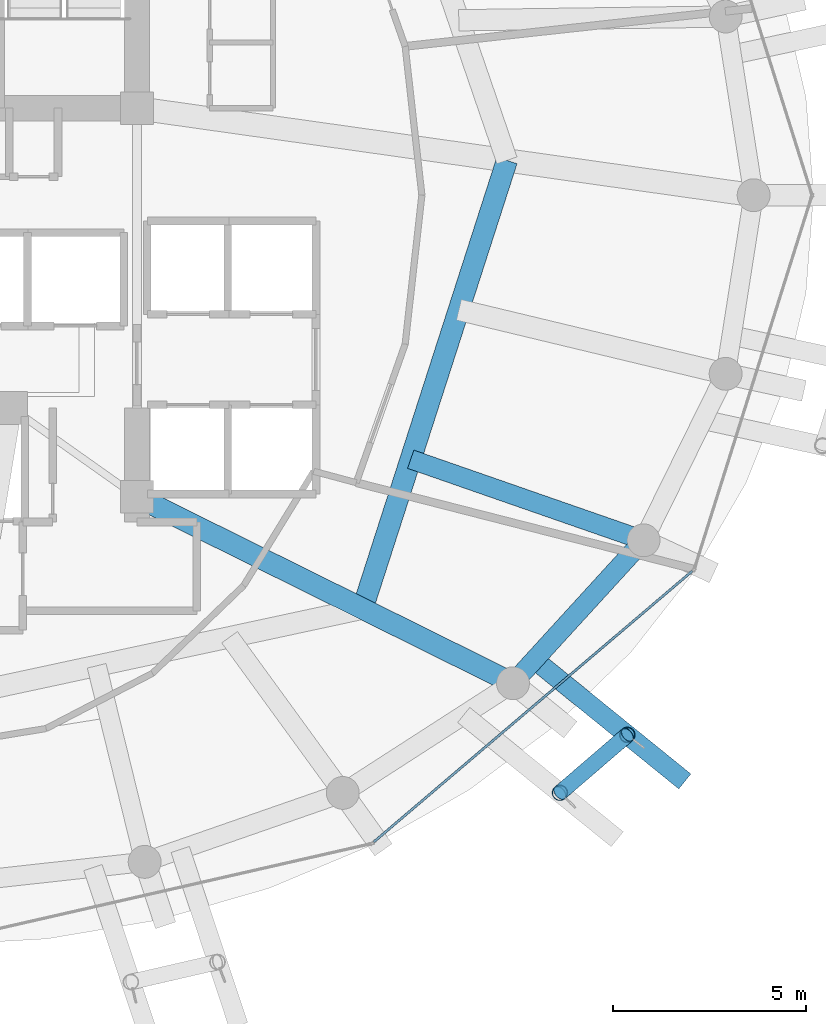
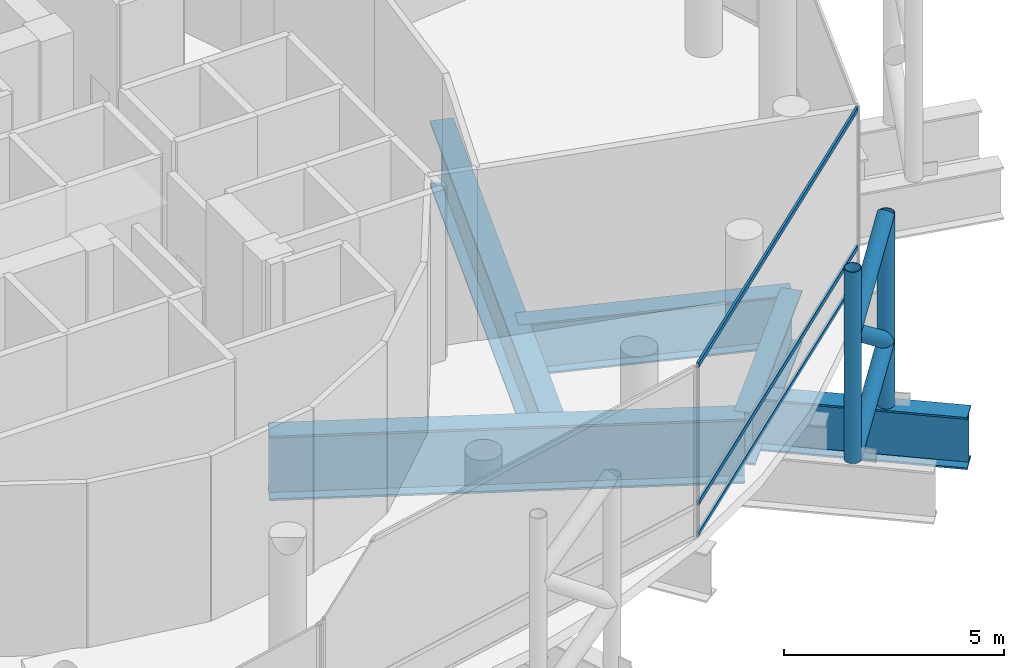
# One storey, part 11 of 31: 8 members, 5 beams, 1 element without a shape of its own.
"""IFC4 building model written with IfcOpenShell, lengths in metres."""

from ifc_helpers import new_model, si_unit, direction, frame, origin, origin_2d, place, context, subcontext, project, spatial, hollow_rectangle, hollow_circle, i_section, extrude, material, layer, layer_set, material_profile, profile_set, type_object, element, aggregate, save


model = new_model("IFC4")

# Units and contexts
model_context = context("Model", 3, precision=1e-05, world=origin(), true_north=direction((0.0, 1.0)))
body_context = subcontext(model_context, "Body", "Model", "MODEL_VIEW")
ifc_project = project(units=[si_unit("LENGTHUNIT", "METRE"), si_unit("AREAUNIT", "SQUARE_METRE"), si_unit("VOLUMEUNIT", "CUBIC_METRE"), si_unit("PLANEANGLEUNIT", "RADIAN"), si_unit("MASSUNIT", "GRAM", prefix="KILO")], contexts=[model_context])

# Site, building, storey
site_placement = place(None, origin())
site = spatial("IfcSite", under=ifc_project, at=site_placement, CompositionType="ELEMENT")
building_placement = place(site_placement, origin())
building = spatial("IfcBuilding", under=site, at=building_placement, Name="Nuhasar Tower", CompositionType="ELEMENT")
storey_placement = place(building_placement, frame((0.0, 0.0, 203.14990234375)))
storey = spatial("IfcBuildingStorey", under=building, at=storey_placement, Name="L49", CompositionType="ELEMENT", Elevation=203.14990234375)

# Beams
ifc_material_1 = material(Name="Steel S460", Category="steel")
ifc_material_profile_1 = material_profile(ifc_material_1, i_section(OverallWidth=0.5, OverallDepth=1.449951171875, WebThickness=0.028076171875, FlangeThickness=0.050048828125, at=origin_2d()), Name="PG1450X500")
ifc_profile_set_1 = profile_set([ifc_material_profile_1], Name="Steel S460")
beam_type_1 = type_object("IfcBeamType", Name="BM-XFER-PG1450", PredefinedType="USERDEFINED", material=ifc_profile_set_1)
beam_1_placement = place(storey_placement, frame((54.02587890625, 14.177978515625, -1.044921875), z_axis=(0.674449692975, 0.738320805373, 0.0), x_axis=(-0.738320805373, 0.674449692975, 0.0)))
element("IfcBeam", 1, at=beam_1_placement, inside=storey, type_object=beam_type_1, Name="L49 Perimeter Ring Spandrel 22", ObjectType="GIRDER", PredefinedType="USERDEFINED", context=body_context, shape_type="SweptSolid", body=[
    extrude(i_section(OverallWidth=0.5, OverallDepth=1.449951171875, WebThickness=0.028076171875, FlangeThickness=0.050048828125, at=origin_2d()), origin(), (0.0, 0.0, 1.0), 5.00732421875),
])
beam_2_placement = place(storey_placement, frame((51.381103515625, 19.970947265625, -1.044921875), z_axis=(0.944431176854, -0.328709221329, 0.0), x_axis=(0.328709221329, 0.944431176854, 0.0)))
element("IfcBeam", 2, at=beam_2_placement, inside=storey, type_object=beam_type_1, Name="L49 Inner Column Transfer Girder 23", ObjectType="GIRDER", PredefinedType="USERDEFINED", context=body_context, shape_type="SweptSolid", body=[
    extrude(i_section(OverallWidth=0.5, OverallDepth=1.449951171875, WebThickness=0.028076171875, FlangeThickness=0.050048828125, at=origin_2d()), origin(), (0.0, 0.0, 1.0), 6.376220703125),
])
beam_3_placement = place(storey_placement, frame((54.58203125, 14.787109375, -1.044921875), z_axis=(0.77714715128, -0.629318921738, 0.0), x_axis=(0.629318921738, 0.77714715128, 0.0)))
element("IfcBeam", 3, at=beam_3_placement, inside=storey, type_object=beam_type_1, Name="L49 Exoskeleton Step Transfer Girder 22", ObjectType="GIRDER", PredefinedType="USERDEFINED", context=body_context, shape_type="SweptSolid", body=[
    extrude(i_section(OverallWidth=0.5, OverallDepth=1.449951171875, WebThickness=0.028076171875, FlangeThickness=0.050048828125, at=origin_2d()), origin(), (0.0, 0.0, 1.0), 5.004150390625),
])
ifc_material_profile_2 = material_profile(ifc_material_1, i_section(OverallWidth=0.550048828125, OverallDepth=1.800048828125, WebThickness=0.031982421875, FlangeThickness=0.054931640625, at=origin_2d()), Name="PG1800X550")
ifc_profile_set_2 = profile_set([ifc_material_profile_2], Name="Steel S460")
beam_type_2 = type_object("IfcBeamType", Name="BM-XFER-PG1800", PredefinedType="USERDEFINED", material=ifc_profile_set_2)
beam_4_placement = place(storey_placement, frame((44.300048828125, 19.0, -1.219970703125), z_axis=(0.895928935233, -0.444197414459, 0.0), x_axis=(0.444197414459, 0.895928935233, 0.0)))
element("IfcBeam", 4, at=beam_4_placement, inside=storey, type_object=beam_type_2, Name="L49 Radial Floor Girder 03", ObjectType="GIRDER", PredefinedType="USERDEFINED", context=body_context, shape_type="SweptSolid", body=[
    extrude(i_section(OverallWidth=0.550048828125, OverallDepth=1.800048828125, WebThickness=0.031982421875, FlangeThickness=0.054931640625, at=origin_2d()), origin(), (0.0, 0.0, 1.0), 10.85546875),
])
beam_5_placement = place(storey_placement, frame((50.135986328125, 16.10693359375, -1.219970703125), z_axis=(0.306589852134, 0.951841721385, 0.0), x_axis=(-0.951841721385, 0.306589852134, 0.0)))
element("IfcBeam", 5, at=beam_5_placement, inside=storey, type_object=beam_type_2, Name="L49 Inner Header Beam 03", ObjectType="GIRDER", PredefinedType="USERDEFINED", context=body_context, shape_type="SweptSolid", body=[
    extrude(i_section(OverallWidth=0.550048828125, OverallDepth=1.800048828125, WebThickness=0.031982421875, FlangeThickness=0.054931640625, at=origin_2d()), origin(), (0.0, 0.0, 1.0), 12.179443359375),
])

# Curtain wall, members
ifc_material_2 = material(Name="Aluminium 6063-T6", Category="aluminium")
ifc_layer = layer(ifc_material_2, 0.239990234375)
ifc_layer_set = layer_set([ifc_layer], Name="Aluminium 6063-T6")
curtain_wall_type = type_object("IfcCurtainWallType", Name="CW-SKY-LBY", PredefinedType="NOTDEFINED", material=ifc_layer_set)
curtain_wall_placement = place(storey_placement, origin())
curtain_wall = element("IfcCurtainWall", 6, at=curtain_wall_placement, inside=storey, type_object=curtain_wall_type, Name="L49 Unitised Curtain Wall 11", PredefinedType="NOTDEFINED")
ifc_material_profile_3 = material_profile(ifc_material_2, hollow_rectangle(XDim=0.06005859375, YDim=0.1298828125, WallThickness=0.00439453125, at=origin_2d()), Name="CWT-6")
ifc_profile_set_3 = profile_set([ifc_material_profile_3], Name="Aluminium 6063-T6")
member_type_1 = type_object("IfcMemberType", Name="CW-TRN-S6", PredefinedType="USERDEFINED", material=ifc_profile_set_3)
member_1_placement = place(storey_placement, frame((50.42578125, 10.07275390625, 0.030029296875), z_axis=(0.761723760695, 0.647901931154, 0.0), x_axis=(-0.647901931154, 0.761723760695, 0.0)))
member_1 = element("IfcMember", 7, at=member_1_placement, type_object=member_type_1, Name="CW-SL transom 1.1", ObjectType="TRANSOM", PredefinedType="USERDEFINED", context=body_context, shape_type="SweptSolid", body=[
    extrude(hollow_rectangle(XDim=0.06005859375, YDim=0.1298828125, WallThickness=0.00439453125, at=origin_2d()), origin(), (0.0, 0.0, 1.0), 10.81689453125),
])
member_2_placement = place(storey_placement, frame((50.42578125, 10.07275390625, 0.900146484375), z_axis=(0.761723760695, 0.647901931154, 0.0), x_axis=(-0.647901931154, 0.761723760695, 0.0)))
member_2 = element("IfcMember", 8, at=member_2_placement, type_object=member_type_1, Name="CW-SL transom 1.2", ObjectType="TRANSOM", PredefinedType="USERDEFINED", context=body_context, shape_type="SweptSolid", body=[
    extrude(hollow_rectangle(XDim=0.06005859375, YDim=0.1298828125, WallThickness=0.00439453125, at=origin_2d()), origin(), (0.0, 0.0, 1.0), 10.81689453125),
])
member_3_placement = place(storey_placement, frame((50.42578125, 10.07275390625, 4.72998046875), z_axis=(0.761723760695, 0.647901931154, 0.0), x_axis=(-0.647901931154, 0.761723760695, 0.0)))
member_3 = element("IfcMember", 9, at=member_3_placement, type_object=member_type_1, Name="CW-SL transom 1.3", ObjectType="TRANSOM", PredefinedType="USERDEFINED", context=body_context, shape_type="SweptSolid", body=[
    extrude(hollow_rectangle(XDim=0.06005859375, YDim=0.1298828125, WallThickness=0.00439453125, at=origin_2d()), origin(), (0.0, 0.0, 1.0), 10.81689453125),
])
aggregate(curtain_wall, [member_1, member_2, member_3])

# Members
ifc_material_profile_4 = material_profile(ifc_material_1, hollow_circle(Radius=0.203125, WallThickness=0.01904296875, at=origin_2d()), Name="HSS406.4X19.1")
ifc_profile_set_4 = profile_set([ifc_material_profile_4], Name="Steel S460")
member_type_2 = type_object("IfcMemberType", Name="EXO-BRONZE-406", PredefinedType="BRACE", material=ifc_profile_set_4)
for number, where, z_axis, x_axis, name in (
    (10, (55.239990234375, 11.343017578125, -0.31982421875), (0.0, 0.0, 1.0), (1.0, 0.0, 0.0), "L49 Exoskeleton Chord Column EC-11A"),
    (11, (56.98388671875, 12.842041015625, -0.31982421875), (0.0, 0.0, 1.0), (1.0, 0.0, 0.0), "L49 Exoskeleton Chord Column EC-11B"),
):
    element("IfcMember", number, at=place(storey_placement, frame(where, z_axis=z_axis, x_axis=x_axis)), inside=storey, type_object=member_type_2, Name=name, PredefinedType="BRACE", context=body_context, shape_type="SweptSolid", body=[
        extrude(hollow_circle(Radius=0.203125, WallThickness=0.01904296875, at=origin_2d()), origin(), (0.0, 0.0, 1.0), 5.31982421875),
    ])
member_4_placement = place(storey_placement, frame((55.239990234375, 11.343017578125, -0.31982421875), z_axis=(0.60057303577, 0.516242256702, 0.610578382439), x_axis=(-0.65185738425, 0.758341579104, 0.0)))
element("IfcMember", 12, at=member_4_placement, inside=storey, type_object=member_type_2, Name="L49 Bronze Diagrid Brace W1-11", PredefinedType="BRACE", context=body_context, shape_type="SweptSolid", body=[
    extrude(hollow_circle(Radius=0.203125, WallThickness=0.01904296875, at=origin_2d()), origin(), (0.0, 0.0, 1.0), 2.90380859375),
])
member_5_placement = place(storey_placement, frame((56.98388671875, 12.842041015625, 1.453125), z_axis=(-0.60044971443, -0.516136251799, 0.610789251722), x_axis=(0.65185738425, -0.758341579104, 0.0)))
element("IfcMember", 13, at=member_5_placement, inside=storey, type_object=member_type_2, Name="L49 Bronze Diagrid Brace W2-11", PredefinedType="BRACE", context=body_context, shape_type="SweptSolid", body=[
    extrude(hollow_circle(Radius=0.203125, WallThickness=0.01904296875, at=origin_2d()), origin(), (0.0, 0.0, 1.0), 2.904296875),
])
member_6_placement = place(storey_placement, frame((55.239990234375, 11.343017578125, 3.22705078125), z_axis=(0.60057303577, 0.516242256702, 0.610578382439), x_axis=(-0.65185738425, 0.758341579104, 0.0)))
element("IfcMember", 14, at=member_6_placement, inside=storey, type_object=member_type_2, Name="L49 Bronze Diagrid Brace W3-11", PredefinedType="BRACE", context=body_context, shape_type="SweptSolid", body=[
    extrude(hollow_circle(Radius=0.203125, WallThickness=0.01904296875, at=origin_2d()), origin(), (0.0, 0.0, 1.0), 2.90380859375),
])

save(model, "model.ifc")
